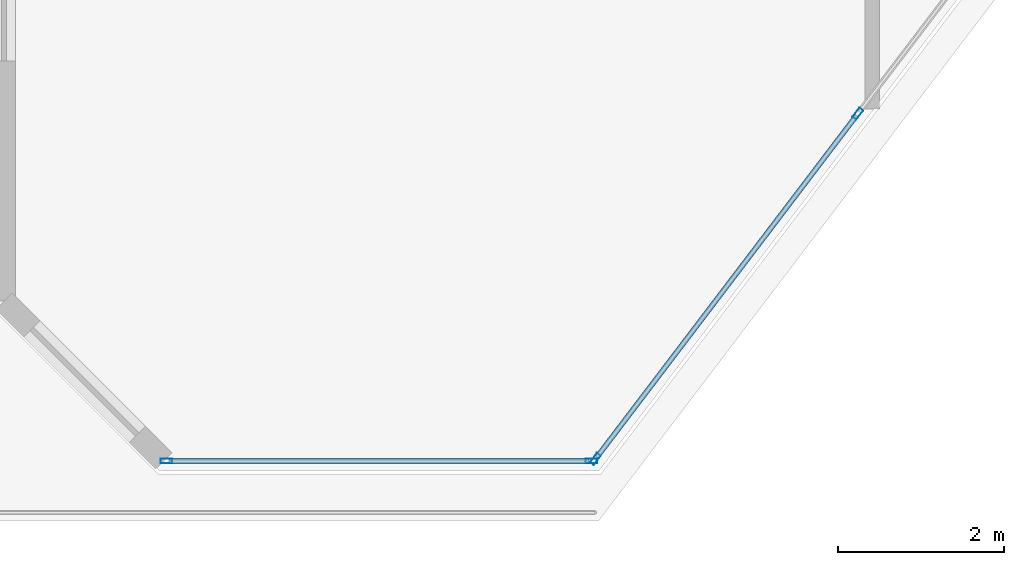
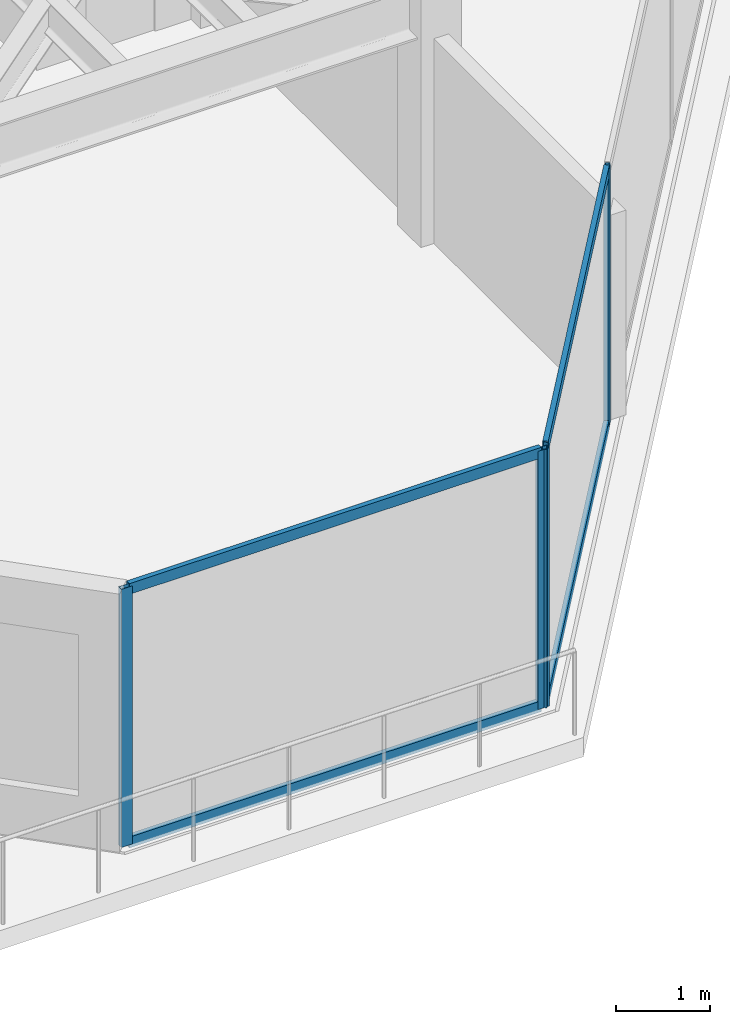
# One storey, part 2 of 17: 8 members, 2 elements without a shape of their own.
"""IFC4 building model written with IfcOpenShell, lengths in metres."""

from ifc_helpers import new_model, si_unit, direction, frame, origin, origin_2d, place, context, subcontext, project, spatial, hollow_rectangle, extrude, material, layer, layer_set, material_profile, profile_set, type_object, element, aggregate, save


model = new_model("IFC4")

# Units and contexts
model_context = context("Model", 3, precision=1e-05, world=origin(), true_north=direction((0.0, 1.0)))
body_context = subcontext(model_context, "Body", "Model", "MODEL_VIEW")
ifc_project = project(units=[si_unit("LENGTHUNIT", "METRE"), si_unit("AREAUNIT", "SQUARE_METRE"), si_unit("VOLUMEUNIT", "CUBIC_METRE"), si_unit("PLANEANGLEUNIT", "RADIAN"), si_unit("MASSUNIT", "GRAM", prefix="KILO")], contexts=[model_context])

# Site, building, storey
site_placement = place(None, origin())
site = spatial("IfcSite", under=ifc_project, at=site_placement, CompositionType="ELEMENT")
building_placement = place(site_placement, origin())
building = spatial("IfcBuilding", under=site, at=building_placement, Name="Kravanh Interchange Tower", CompositionType="ELEMENT")
storey_placement = place(building_placement, frame((0.0, 0.0, 263.39990234375)))
storey = spatial("IfcBuildingStorey", under=building, at=storey_placement, Name="L64", CompositionType="ELEMENT", Elevation=263.39990234375)

# Curtain wall, members
ifc_material_1 = material(Name="Anodised Bronze Aluminium", Category="aluminium")
ifc_layer = layer(ifc_material_1, 0.179931640625)
ifc_layer_set = layer_set([ifc_layer], Name="Unitised Curtain Wall System CW-HTL Luxury Hotel")
curtain_wall_type = type_object("IfcCurtainWallType", Name="Unitised Curtain Wall System CW-HTL Luxury Hotel", PredefinedType="NOTDEFINED", material=ifc_layer_set)
curtain_wall_1_placement = place(storey_placement, origin())
curtain_wall_1 = element("IfcCurtainWall", 1, at=curtain_wall_1_placement, inside=storey, type_object=curtain_wall_type, Name="L64 Unitised Curtain Wall CW-L64-05", PredefinedType="NOTDEFINED")
ifc_material_2 = material(Name="Anodised Bronze Aluminium", Category="aluminium")
ifc_material_profile_1 = material_profile(ifc_material_2, hollow_rectangle(XDim=0.06005859375, YDim=0.139892578125, WallThickness=0.00390625, at=origin_2d()), Name="ALU60X140X4")
ifc_profile_set_1 = profile_set([ifc_material_profile_1], Name="Anodised Bronze Aluminium")
member_type_1 = type_object("IfcMemberType", Name="Curtain Wall Mullion ALU60X140X4 Bronze", PredefinedType="MULLION", material=ifc_profile_set_1)
member_1_placement = place(storey_placement, frame((38.427001953125, 22.712646484375, 0.0), z_axis=(0.0, 0.0, 1.0), x_axis=(0.79616243806, -0.605082946564, 0.0)))
member_1 = element("IfcMember", 2, at=member_1_placement, type_object=member_type_1, Name="CW-HTL mullion 3", PredefinedType="MULLION", context=body_context, shape_type="SweptSolid", body=[
    extrude(hollow_rectangle(XDim=0.06005859375, YDim=0.139892578125, WallThickness=0.00390625, at=origin_2d()), origin(), (0.0, 0.0, 1.0), 3.360107421875),
])
member_2_placement = place(storey_placement, frame((35.258544921875, 18.5439453125, 0.0), z_axis=(0.0, 0.0, 1.0), x_axis=(0.79616243806, -0.605082946564, 0.0)))
member_2 = element("IfcMember", 3, at=member_2_placement, type_object=member_type_1, Name="CW-HTL mullion 4", PredefinedType="MULLION", context=body_context, shape_type="SweptSolid", body=[
    extrude(hollow_rectangle(XDim=0.06005859375, YDim=0.139892578125, WallThickness=0.00390625, at=origin_2d()), origin(), (0.0, 0.0, 1.0), 3.360107421875),
])

curtain_wall_2_placement = place(storey_placement, origin())
curtain_wall_2 = element("IfcCurtainWall", 4, at=curtain_wall_2_placement, inside=storey, type_object=curtain_wall_type, Name="L64 Unitised Curtain Wall CW-L64-06", PredefinedType="NOTDEFINED")
member_3_placement = place(storey_placement, frame((35.21044921875, 18.52001953125, 0.0), z_axis=(0.0, 0.0, 1.0), x_axis=(0.0, -1.0, 0.0)))
member_3 = element("IfcMember", 5, at=member_3_placement, type_object=member_type_1, Name="CW-HTL mullion 1", PredefinedType="MULLION", context=body_context, shape_type="SweptSolid", body=[
    extrude(hollow_rectangle(XDim=0.06005859375, YDim=0.139892578125, WallThickness=0.00390625, at=origin_2d()), origin(), (0.0, 0.0, 1.0), 3.360107421875),
])
member_4_placement = place(storey_placement, frame((30.07958984375, 18.52001953125, 0.0), z_axis=(0.0, 0.0, 1.0), x_axis=(0.0, -1.0, 0.0)))
member_4 = element("IfcMember", 6, at=member_4_placement, type_object=member_type_1, Name="CW-HTL mullion 2", PredefinedType="MULLION", context=body_context, shape_type="SweptSolid", body=[
    extrude(hollow_rectangle(XDim=0.06005859375, YDim=0.139892578125, WallThickness=0.00390625, at=origin_2d()), origin(), (0.0, 0.0, 1.0), 3.360107421875),
])

# Member
ifc_material_3 = material(Name="Anodised Bronze Aluminium", Category="aluminium")
ifc_material_profile_2 = material_profile(ifc_material_3, hollow_rectangle(XDim=0.06005859375, YDim=0.139892578125, WallThickness=0.00390625, at=origin_2d()), Name="ALU60X140X4")
ifc_profile_set_2 = profile_set([ifc_material_profile_2], Name="Anodised Bronze Aluminium")
member_type_2 = type_object("IfcMemberType", Name="Curtain Wall Transom ALU60X140X4 Bronze", PredefinedType="USERDEFINED", material=ifc_profile_set_2)
member_5_placement = place(storey_placement, frame((38.408935546875, 22.68896484375, 0.030029296875), z_axis=(-0.605089246946, -0.796157649734, 0.0), x_axis=(0.796157649734, -0.605089246946, 0.0)))
member_5 = element("IfcMember", 7, at=member_5_placement, type_object=member_type_2, Name="CW-HTL transom 3.1", ObjectType="TRANSOM", PredefinedType="USERDEFINED", context=body_context, shape_type="SweptSolid", body=[
    extrude(hollow_rectangle(XDim=0.06005859375, YDim=0.139892578125, WallThickness=0.00390625, at=origin_2d()), origin(), (0.0, 0.0, 1.0), 5.17626953125),
])

member_6_placement = place(storey_placement, frame((38.408935546875, 22.68896484375, 3.330078125), z_axis=(-0.605089246946, -0.796157649734, 0.0), x_axis=(0.796157649734, -0.605089246946, 0.0)))
member_6 = element("IfcMember", 8, at=member_6_placement, type_object=member_type_2, Name="CW-HTL transom 3.2", ObjectType="TRANSOM", PredefinedType="USERDEFINED", context=body_context, shape_type="SweptSolid", body=[
    extrude(hollow_rectangle(XDim=0.06005859375, YDim=0.139892578125, WallThickness=0.00390625, at=origin_2d()), origin(), (0.0, 0.0, 1.0), 5.17626953125),
])

aggregate(curtain_wall_1, [member_1, member_2, member_5, member_6])

member_7_placement = place(storey_placement, frame((35.180419921875, 18.52001953125, 0.030029296875), z_axis=(-1.0, 0.0, 0.0), x_axis=(0.0, -1.0, 0.0)))
member_7 = element("IfcMember", 9, at=member_7_placement, type_object=member_type_2, Name="CW-HTL transom 1.1", ObjectType="TRANSOM", PredefinedType="USERDEFINED", context=body_context, shape_type="SweptSolid", body=[
    extrude(hollow_rectangle(XDim=0.06005859375, YDim=0.139892578125, WallThickness=0.00390625, at=origin_2d()), origin(), (0.0, 0.0, 1.0), 5.07080078125),
])

member_8_placement = place(storey_placement, frame((35.180419921875, 18.52001953125, 3.330078125), z_axis=(-1.0, 0.0, 0.0), x_axis=(0.0, -1.0, 0.0)))
member_8 = element("IfcMember", 10, at=member_8_placement, type_object=member_type_2, Name="CW-HTL transom 1.2", ObjectType="TRANSOM", PredefinedType="USERDEFINED", context=body_context, shape_type="SweptSolid", body=[
    extrude(hollow_rectangle(XDim=0.06005859375, YDim=0.139892578125, WallThickness=0.00390625, at=origin_2d()), origin(), (0.0, 0.0, 1.0), 5.07080078125),
])

aggregate(curtain_wall_2, [member_3, member_4, member_7, member_8])

save(model, "model.ifc")
